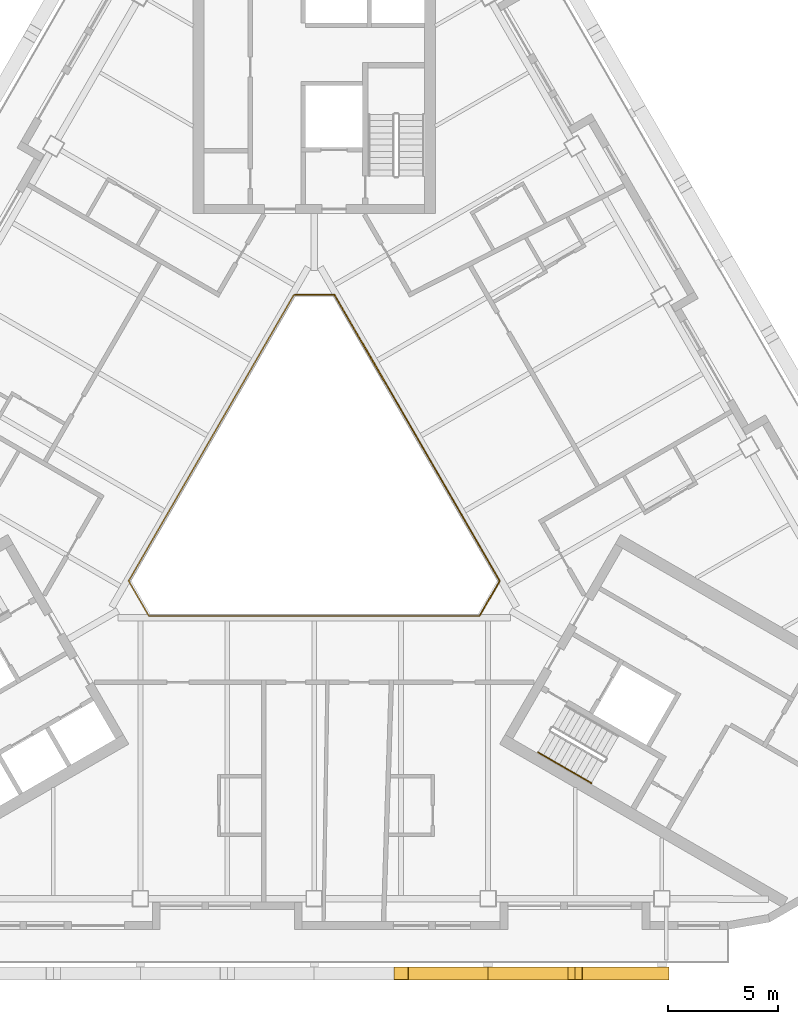
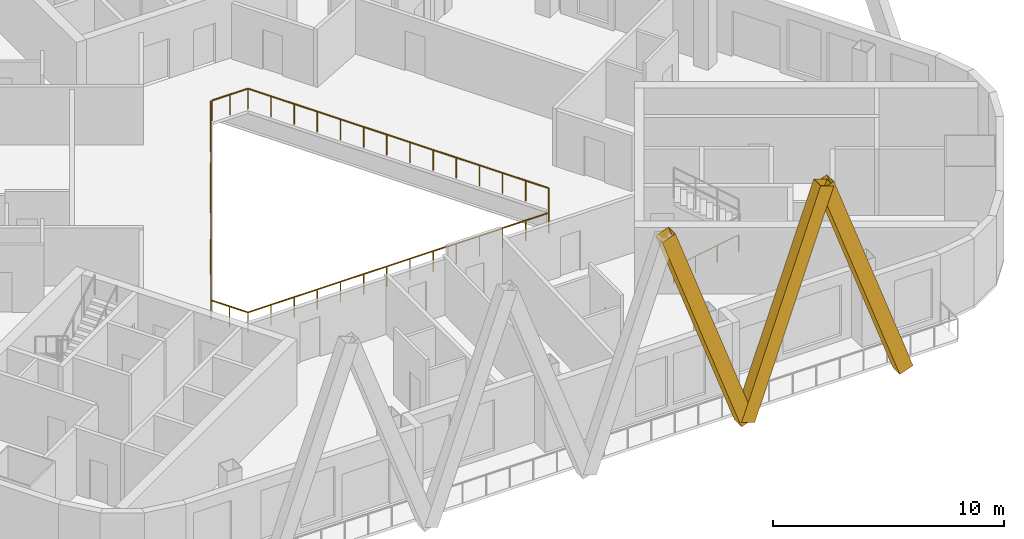
# One storey, part 11 of 14: 3 railings, 3 shading devices.
"""IFC4 building model written with IfcOpenShell, lengths in metres."""

import ifcopenshell
import ifcopenshell.guid

model = None  # the IFC model being written
_history = None  # IfcOwnerHistory: only IFC2X3 demands one
_inside = {}  # id of a spatial element -> (the spatial element, [elements in it])
_under = {}  # id of a project, library or spatial element -> (it, [spatial elements below it])
_declared = {}  # id of a project -> (the project, [libraries it declares])
_typed = {}  # id of a type object -> (the type object, [elements of that type])
_made_of = {}  # id of a material, layer set ... -> (it, [elements and type objects made of it])


def new_model(schema):
    """Start an empty IFC model of exactly this schema.

    Asked for "IFC4X3", IfcOpenShell would pick the latest addendum, in which some entities
    have other attributes; the version numbers below select the first issue.
    IFC2X3 requires an IfcOwnerHistory on every rooted entity: one is made here for all.
    """
    global model, _history
    if schema == "IFC4X3":
        model = ifcopenshell.file(schema_version=(4, 3, 0, 0))
    else:
        model = ifcopenshell.file(schema=schema)
    _inside.clear()
    _under.clear()
    _declared.clear()
    _typed.clear()
    _made_of.clear()
    _history = None
    if model.schema == "IFC2X3":
        org = make("IfcOrganization", Name="unknown")
        user = make(
            "IfcPersonAndOrganization",
            ThePerson=make("IfcPerson", FamilyName="unknown"),
            TheOrganization=org,
        )
        app = make(
            "IfcApplication",
            ApplicationDeveloper=org,
            Version="unknown",
            ApplicationFullName="unknown",
            ApplicationIdentifier="unknown",
        )
        _history = make(
            "IfcOwnerHistory",
            OwningUser=user,
            OwningApplication=app,
            ChangeAction="ADDED",
            CreationDate=0,
        )
    return model


def make(cls, **values):
    """One entity of the class cls with the attributes given. An attribute that is None is left unset."""
    return model.create_entity(
        cls, **{name: value for name, value in values.items() if value is not None}
    )


def rooted(cls, **values):
    """An entity with a GlobalId (a new one), such as an element, a storey or a relation."""
    return make(cls, GlobalId=ifcopenshell.guid.new(), OwnerHistory=_history, **values)


def si_unit(unit_type, name, prefix=None):
    """IfcSIUnit, for example si_unit("LENGTHUNIT", "METRE", prefix="MILLI")."""
    return make("IfcSIUnit", UnitType=unit_type, Prefix=prefix, Name=name)


def assignment(units):
    """IfcUnitAssignment: the units of a project."""
    return None if units is None else make("IfcUnitAssignment", Units=units)


def point(xyz):
    """IfcCartesianPoint."""
    return None if xyz is None else make("IfcCartesianPoint", Coordinates=xyz)


def direction(xyz):
    """IfcDirection."""
    return None if xyz is None else make("IfcDirection", DirectionRatios=xyz)


def frame(location, z_axis=None, x_axis=None):
    """IfcAxis2Placement3D, a coordinate frame: its origin and axes. An axis left out is left unset."""
    return make(
        "IfcAxis2Placement3D",
        Location=point(location),
        Axis=direction(z_axis),
        RefDirection=direction(x_axis),
    )


def frame_2d(location, x_axis=None):
    """IfcAxis2Placement2D, a coordinate frame in the plane: its origin and x axis."""
    return make(
        "IfcAxis2Placement2D", Location=point(location), RefDirection=direction(x_axis)
    )


def origin():
    """The frame at (0, 0, 0) with its axes left unset."""
    return frame((0.0, 0.0, 0.0))


def origin_2d():
    """The frame at (0, 0) in the plane with its x axis left unset."""
    return frame_2d((0.0, 0.0))


def place(relative_to, where):
    """IfcLocalPlacement: puts the frame where relative to a parent placement (None: the world)."""
    return make(
        "IfcLocalPlacement", PlacementRelTo=relative_to, RelativePlacement=where
    )


def context(
    kind, dimensions, precision=None, world=None, true_north=None, identifier=None
):
    """IfcGeometricRepresentationContext, for example the 3D "Model" context."""
    return make(
        "IfcGeometricRepresentationContext",
        ContextIdentifier=identifier,
        ContextType=kind,
        CoordinateSpaceDimension=dimensions,
        Precision=precision,
        WorldCoordinateSystem=world,
        TrueNorth=true_north,
    )


def subcontext(parent, identifier, kind, view, scale=None):
    """IfcGeometricRepresentationSubContext, for example "Body" below "Model"."""
    return make(
        "IfcGeometricRepresentationSubContext",
        ContextIdentifier=identifier,
        ContextType=kind,
        ParentContext=parent,
        TargetScale=scale,
        TargetView=view,
    )


def project(units=None, contexts=None):
    """IfcProject with its units and contexts."""
    return rooted(
        "IfcProject",
        Name="project",
        RepresentationContexts=contexts,
        UnitsInContext=assignment(units),
    )


def spatial(cls, under=None, at=None, **own):
    """A site, building, storey or space (cls), placed at a placement, below another one or the project."""
    s = rooted(cls, ObjectPlacement=at, **own)
    if under is not None:
        _under.setdefault(under.id(), (under, []))[1].append(s)
    return s


def profile(cls, at=None, kind="AREA", **sizes):
    """A parametric profile (cls). Its sizes go by their IFC names, for example OverallWidth=200.0."""
    return make(cls, ProfileType=kind, Position=at, **sizes)


def rectangle(**sizes):
    """IfcRectangleProfileDef."""
    return profile("IfcRectangleProfileDef", **sizes)


def hollow_rectangle(**sizes):
    """IfcRectangleHollowProfileDef."""
    return profile("IfcRectangleHollowProfileDef", **sizes)


def circle(**sizes):
    """IfcCircleProfileDef."""
    return profile("IfcCircleProfileDef", **sizes)


def extrude(swept, where, along, depth):
    """IfcExtrudedAreaSolid: the profile swept, set in the frame where, extruded along a direction by depth."""
    return make(
        "IfcExtrudedAreaSolid",
        SweptArea=swept,
        Position=where,
        ExtrudedDirection=direction(along),
        Depth=depth,
    )


def shape(context_of_items, identifier, shape_type, items):
    """IfcShapeRepresentation: the items that make up one representation, for example the "Body"."""
    return make(
        "IfcShapeRepresentation",
        ContextOfItems=context_of_items,
        RepresentationIdentifier=identifier,
        RepresentationType=shape_type,
        Items=items,
    )


def material(Name=None, Category=None):
    """IfcMaterial."""
    return make("IfcMaterial", Name=Name, Category=Category)


def material_profile(
    of_material, cross_section, Name=None, Category=None, Priority=None
):
    """IfcMaterialProfile: a cross section and its material."""
    return make(
        "IfcMaterialProfile",
        Name=Name,
        Material=of_material,
        Profile=cross_section,
        Priority=Priority,
        Category=Category,
    )


def profile_set(profiles, Name=None, composite=None):
    """IfcMaterialProfileSet."""
    return make(
        "IfcMaterialProfileSet",
        Name=Name,
        MaterialProfiles=profiles,
        CompositeProfile=composite,
    )


def made_of(thing, what):
    """Note that an element or type object is made of a material, layer set ...; save() writes the relation."""
    if what is not None:
        _made_of.setdefault(what.id(), (what, []))[1].append(thing)
    return thing


def type_object(cls, material=None, **own):
    """A type object (cls), such as IfcWallType, which elements share."""
    return made_of(rooted(cls, **own), material)


def element(
    cls,
    number,
    at=None,
    inside=None,
    cuts=None,
    type_object=None,
    material=None,
    context=None,
    identifier="Body",
    shape_type=None,
    held_by="IfcProductDefinitionShape",
    body=None,
    shapes=None,
    **own,
):
    """One element of the class cls, such as IfcWall. Its Tag is "e" and its number.

    at: its placement. inside: the storey or other place that contains it. cuts: it is an
    opening in that element (IfcRelVoidsElement). A single representation is given by context,
    identifier, shape_type and body (its items); several are given by shapes. held_by: the class
    of the entity that holds the representations. save() writes the other relations.
    """
    e = rooted(cls, Tag="e%d" % number, ObjectPlacement=at, **own)
    if body is not None:
        shapes = [shape(context, identifier, shape_type, body)]
    if shapes is not None:
        e.Representation = make(held_by, Representations=shapes)
    if inside is not None:
        _inside.setdefault(inside.id(), (inside, []))[1].append(e)
    if cuts is not None:
        rooted(
            "IfcRelVoidsElement", RelatingBuildingElement=cuts, RelatedOpeningElement=e
        )
    if type_object is not None:
        _typed.setdefault(type_object.id(), (type_object, []))[1].append(e)
    return made_of(e, material)


def aggregate(whole, parts):
    """IfcRelAggregates: a whole, such as a stair, and the parts it consists of."""
    return rooted("IfcRelAggregates", RelatingObject=whole, RelatedObjects=parts)


def save(model, path):
    """Write the relations noted so far, then the file.

    IfcRelAggregates (storeys below a building ...), IfcRelContainedInSpatialStructure (elements
    in a storey), IfcRelDefinesByType, IfcRelAssociatesMaterial and IfcRelDeclares: one each for
    every whole, place, type object, material and project.
    """
    for whole, parts in _under.values():
        aggregate(whole, parts)
    for where, things in _inside.values():
        rooted(
            "IfcRelContainedInSpatialStructure",
            RelatedElements=things,
            RelatingStructure=where,
        )
    for kind, things in _typed.values():
        rooted("IfcRelDefinesByType", RelatedObjects=things, RelatingType=kind)
    for what, things in _made_of.values():
        rooted("IfcRelAssociatesMaterial", RelatedObjects=things, RelatingMaterial=what)
    for by, libraries in _declared.values():
        rooted("IfcRelDeclares", RelatingContext=by, RelatedDefinitions=libraries)
    model.write(path)


model = new_model("IFC4")

# Units and contexts
model_context = context("Model", 3, precision=1e-05, world=origin(), true_north=direction((0.0, 1.0)))
body_context = subcontext(model_context, "Body", "Model", "MODEL_VIEW")
ifc_project = project(units=[si_unit("LENGTHUNIT", "METRE"), si_unit("AREAUNIT", "SQUARE_METRE"), si_unit("VOLUMEUNIT", "CUBIC_METRE"), si_unit("PLANEANGLEUNIT", "RADIAN"), si_unit("MASSUNIT", "GRAM", prefix="KILO")], contexts=[model_context])

# Site, building, storey
site_placement = place(None, origin())
site = spatial("IfcSite", under=ifc_project, at=site_placement, CompositionType="ELEMENT")
building_placement = place(site_placement, origin())
building = spatial("IfcBuilding", under=site, at=building_placement, Name="Apuvela Tower Hotel", CompositionType="ELEMENT")
storey_placement = place(building_placement, frame((0.0, 0.0, 213.199951171875)))
storey = spatial("IfcBuildingStorey", under=building, at=storey_placement, Name="L52", CompositionType="ELEMENT", Elevation=213.199951171875)

# Railing
ifc_material_1 = material(Name="Stainless steel 316 handrail", Category="steel")
railing_type_1 = type_object("IfcRailingType", Name="COR-HANDRAIL-900", PredefinedType="HANDRAIL", material=ifc_material_1)
railing_1_placement = place(storey_placement, frame((10.1689453125, -11.5869140625, 0.168212890625)))
element("IfcRailing", 1, at=railing_1_placement, inside=storey, type_object=railing_type_1, Name="L52 ST3 stair handrail 1", PredefinedType="HANDRAIL", context=body_context, shape_type="SweptSolid", body=[
    extrude(circle(Radius=0.02392578125, at=origin_2d()), frame((0.0, 0.0, 0.8759765625), z_axis=(0.742390482028, -0.42860119049, 0.514934356695), x_axis=(0.49998411664, 0.866034573852, 0.0)), (0.0, 0.0, 1.0), 3.26611328125),
    extrude(rectangle(XDim=0.0419921875, YDim=0.0419921875, at=origin_2d()), origin(), (0.0, 0.0, 1.0), 0.851806640625),
    extrude(rectangle(XDim=0.0419921875, YDim=0.0419921875, at=origin_2d()), frame((0.808349609375, -0.466552734375, 0.560546875)), (0.0, 0.0, 1.0), 0.851806640625),
    extrude(rectangle(XDim=0.0419921875, YDim=0.0419921875, at=origin_2d()), frame((1.616455078125, -0.933349609375, 1.121337890625)), (0.0, 0.0, 1.0), 0.851806640625),
    extrude(rectangle(XDim=0.0419921875, YDim=0.0419921875, at=origin_2d()), frame((2.4248046875, -1.39990234375, 1.681884765625)), (0.0, 0.0, 1.0), 0.851806640625),
])

# Shading devices
ifc_material_2 = material(Name="Aluminium 6063-T6, black anodised", Category="aluminium")
ifc_material_profile = material_profile(ifc_material_2, hollow_rectangle(XDim=0.60009765625, YDim=0.699951171875, WallThickness=0.011962890625, at=origin_2d()), Name="AL BOX 700x600x12")
ifc_profile_set = profile_set([ifc_material_profile], Name="Aluminium 6063-T6, black anodised")
shading_device_type = type_object("IfcShadingDeviceType", Name="ENV-FIN-700x600", PredefinedType="USERDEFINED", material=ifc_profile_set)
for number, where, z_axis, x_axis, name in (
    (2, (7.89990234375, -21.6298828125, -0.099853515625), (-0.335261072241, 0.0, 0.942125264198), (0.0, -1.0, 0.0), "Lattice fin S454"),
    (3, (7.89990234375, -21.6298828125, -0.099853515625), (0.335279464888, 0.0, 0.942118718859), (0.0, 1.0, 0.0), "Lattice fin S455"),
    (4, (15.800048828125, -21.6298828125, -0.099853515625), (-0.335261072241, 0.0, 0.942125264198), (0.0, -1.0, 0.0), "Lattice fin S456"),
):
    element("IfcShadingDevice", number, at=place(storey_placement, frame(where, z_axis=z_axis, x_axis=x_axis)), inside=storey, type_object=shading_device_type, Name=name, ObjectType="FIN", PredefinedType="USERDEFINED", context=body_context, shape_type="SweptSolid", body=[
        extrude(hollow_rectangle(XDim=0.60009765625, YDim=0.699951171875, WallThickness=0.011962890625, at=origin_2d()), origin(), (0.0, 0.0, 1.0), 11.78173828125),
    ])

# Railings
ifc_material_3 = material(Name="Stainless steel 316 rail with laminated glass infill", Category="steel")
railing_type_2 = type_object("IfcRailingType", Name="ENV-GUARD-1100", PredefinedType="GUARDRAIL", material=ifc_material_3)
railing_2_placement = place(storey_placement, frame((-0.923828125, 9.199951171875, 0.0)))
element("IfcRailing", 5, at=railing_2_placement, inside=storey, type_object=railing_type_2, Name="Atrium void guard A L52", PredefinedType="GUARDRAIL", context=body_context, shape_type="SweptSolid", body=[
    extrude(rectangle(XDim=0.050048828125, YDim=0.050048828125, at=origin_2d()), frame((0.0, 0.0, 1.0751953125), z_axis=(-0.499990886379, -0.866030665472, 0.0), x_axis=(0.866030665472, -0.499990886379, 0.0)), (0.0, 0.0, 1.0), 15.010986328125),
    extrude(rectangle(XDim=0.050048828125, YDim=0.050048828125, at=origin_2d()), frame((-7.50537109375, -13.0, 1.0751953125), z_axis=(0.499962699187, -0.866046938348, 0.0), x_axis=(0.866046938348, 0.499962699187, 0.0)), (0.0, 0.0, 1.0), 1.847412109375),
    extrude(rectangle(XDim=0.050048828125, YDim=0.050048828125, at=origin_2d()), frame((-6.581787109375, -14.599853515625, 1.0751953125), z_axis=(1.0, 0.0, 0.0), x_axis=(0.0, 1.0, 0.0)), (0.0, 0.0, 1.0), 15.01123046875),
    extrude(rectangle(XDim=0.0400390625, YDim=0.0400390625, at=origin_2d()), origin(), (0.0, 0.0, 1.0), 1.050048828125),
    extrude(rectangle(XDim=0.0400390625, YDim=0.0400390625, at=origin_2d()), frame((-0.577392578125, -1.0, 0.0)), (0.0, 0.0, 1.0), 1.050048828125),
    extrude(rectangle(XDim=0.0400390625, YDim=0.0400390625, at=origin_2d()), frame((-1.15478515625, -2.0, 0.0)), (0.0, 0.0, 1.0), 1.050048828125),
    extrude(rectangle(XDim=0.0400390625, YDim=0.0400390625, at=origin_2d()), frame((-1.73193359375, -3.0, 0.0)), (0.0, 0.0, 1.0), 1.050048828125),
    extrude(rectangle(XDim=0.0400390625, YDim=0.0400390625, at=origin_2d()), frame((-2.309326171875, -4.0, 0.0)), (0.0, 0.0, 1.0), 1.050048828125),
    extrude(rectangle(XDim=0.0400390625, YDim=0.0400390625, at=origin_2d()), frame((-2.88671875, -5.0, 0.0)), (0.0, 0.0, 1.0), 1.050048828125),
    extrude(rectangle(XDim=0.0400390625, YDim=0.0400390625, at=origin_2d()), frame((-3.464111328125, -6.0, 0.0)), (0.0, 0.0, 1.0), 1.050048828125),
    extrude(rectangle(XDim=0.0400390625, YDim=0.0400390625, at=origin_2d()), frame((-4.041259765625, -7.0, 0.0)), (0.0, 0.0, 1.0), 1.050048828125),
    extrude(rectangle(XDim=0.0400390625, YDim=0.0400390625, at=origin_2d()), frame((-4.61865234375, -8.0, 0.0)), (0.0, 0.0, 1.0), 1.050048828125),
    extrude(rectangle(XDim=0.0400390625, YDim=0.0400390625, at=origin_2d()), frame((-5.196044921875, -9.0, 0.0)), (0.0, 0.0, 1.0), 1.050048828125),
    extrude(rectangle(XDim=0.0400390625, YDim=0.0400390625, at=origin_2d()), frame((-5.7734375, -10.0, 0.0)), (0.0, 0.0, 1.0), 1.050048828125),
    extrude(rectangle(XDim=0.0400390625, YDim=0.0400390625, at=origin_2d()), frame((-6.3505859375, -11.0, 0.0)), (0.0, 0.0, 1.0), 1.050048828125),
    extrude(rectangle(XDim=0.0400390625, YDim=0.0400390625, at=origin_2d()), frame((-6.927978515625, -12.0, 0.0)), (0.0, 0.0, 1.0), 1.050048828125),
    extrude(rectangle(XDim=0.0400390625, YDim=0.0400390625, at=origin_2d()), frame((-7.50537109375, -13.0, 0.0)), (0.0, 0.0, 1.0), 1.050048828125),
    extrude(rectangle(XDim=0.0400390625, YDim=0.0400390625, at=origin_2d()), frame((-7.04345703125, -13.7998046875, 0.0)), (0.0, 0.0, 1.0), 1.050048828125),
    extrude(rectangle(XDim=0.0400390625, YDim=0.0400390625, at=origin_2d()), frame((-6.581787109375, -14.599853515625, 0.0)), (0.0, 0.0, 1.0), 1.050048828125),
    extrude(rectangle(XDim=0.0400390625, YDim=0.0400390625, at=origin_2d()), frame((-5.427001953125, -14.599853515625, 0.0)), (0.0, 0.0, 1.0), 1.050048828125),
    extrude(rectangle(XDim=0.0400390625, YDim=0.0400390625, at=origin_2d()), frame((-4.2724609375, -14.599853515625, 0.0)), (0.0, 0.0, 1.0), 1.050048828125),
    extrude(rectangle(XDim=0.0400390625, YDim=0.0400390625, at=origin_2d()), frame((-3.11767578125, -14.599853515625, 0.0)), (0.0, 0.0, 1.0), 1.050048828125),
    extrude(rectangle(XDim=0.0400390625, YDim=0.0400390625, at=origin_2d()), frame((-1.962890625, -14.599853515625, 0.0)), (0.0, 0.0, 1.0), 1.050048828125),
    extrude(rectangle(XDim=0.0400390625, YDim=0.0400390625, at=origin_2d()), frame((-0.808349609375, -14.599853515625, 0.0)), (0.0, 0.0, 1.0), 1.050048828125),
    extrude(rectangle(XDim=0.0400390625, YDim=0.0400390625, at=origin_2d()), frame((0.346435546875, -14.599853515625, 0.0)), (0.0, 0.0, 1.0), 1.050048828125),
    extrude(rectangle(XDim=0.0400390625, YDim=0.0400390625, at=origin_2d()), frame((1.501220703125, -14.599853515625, 0.0)), (0.0, 0.0, 1.0), 1.050048828125),
    extrude(rectangle(XDim=0.0400390625, YDim=0.0400390625, at=origin_2d()), frame((2.656005859375, -14.599853515625, 0.0)), (0.0, 0.0, 1.0), 1.050048828125),
    extrude(rectangle(XDim=0.0400390625, YDim=0.0400390625, at=origin_2d()), frame((3.810546875, -14.599853515625, 0.0)), (0.0, 0.0, 1.0), 1.050048828125),
    extrude(rectangle(XDim=0.0400390625, YDim=0.0400390625, at=origin_2d()), frame((4.96533203125, -14.599853515625, 0.0)), (0.0, 0.0, 1.0), 1.050048828125),
    extrude(rectangle(XDim=0.0400390625, YDim=0.0400390625, at=origin_2d()), frame((6.1201171875, -14.599853515625, 0.0)), (0.0, 0.0, 1.0), 1.050048828125),
    extrude(rectangle(XDim=0.0400390625, YDim=0.0400390625, at=origin_2d()), frame((7.274658203125, -14.599853515625, 0.0)), (0.0, 0.0, 1.0), 1.050048828125),
    extrude(rectangle(XDim=0.0400390625, YDim=0.0400390625, at=origin_2d()), frame((8.429443359375, -14.599853515625, 0.0)), (0.0, 0.0, 1.0), 1.050048828125),
])
railing_3_placement = place(storey_placement, frame((7.53564453125, -5.347900390625, 0.0)))
element("IfcRailing", 6, at=railing_3_placement, inside=storey, type_object=railing_type_2, Name="Atrium void guard B L52", PredefinedType="GUARDRAIL", context=body_context, shape_type="SweptSolid", body=[
    extrude(rectangle(XDim=0.050048828125, YDim=0.050048828125, at=origin_2d()), frame((0.0, 0.0, 1.0751953125), z_axis=(0.499958946799, 0.866049104564, 0.0), x_axis=(-0.866049104564, 0.499958946799, 0.0)), (0.0, 0.0, 1.0), 1.787353515625),
    extrude(rectangle(XDim=0.050048828125, YDim=0.050048828125, at=origin_2d()), frame((0.8935546875, 1.5478515625, 1.0751953125), z_axis=(-0.499990886379, 0.866030665472, 0.0), x_axis=(-0.866030665472, -0.499990886379, 0.0)), (0.0, 0.0, 1.0), 15.010986328125),
    extrude(rectangle(XDim=0.050048828125, YDim=0.050048828125, at=origin_2d()), frame((-6.61181640625, 14.5478515625, 1.0751953125), z_axis=(-1.0, 0.0, 0.0), x_axis=(0.0, -1.0, 0.0)), (0.0, 0.0, 1.0), 1.78759765625),
    extrude(rectangle(XDim=0.0400390625, YDim=0.0400390625, at=origin_2d()), origin(), (0.0, 0.0, 1.0), 1.050048828125),
    extrude(rectangle(XDim=0.0400390625, YDim=0.0400390625, at=origin_2d()), frame((0.44677734375, 0.77392578125, 0.0)), (0.0, 0.0, 1.0), 1.050048828125),
    extrude(rectangle(XDim=0.0400390625, YDim=0.0400390625, at=origin_2d()), frame((0.8935546875, 1.5478515625, 0.0)), (0.0, 0.0, 1.0), 1.050048828125),
    extrude(rectangle(XDim=0.0400390625, YDim=0.0400390625, at=origin_2d()), frame((0.316162109375, 2.5478515625, 0.0)), (0.0, 0.0, 1.0), 1.050048828125),
    extrude(rectangle(XDim=0.0400390625, YDim=0.0400390625, at=origin_2d()), frame((-0.26123046875, 3.5478515625, 0.0)), (0.0, 0.0, 1.0), 1.050048828125),
    extrude(rectangle(XDim=0.0400390625, YDim=0.0400390625, at=origin_2d()), frame((-0.83837890625, 4.5478515625, 0.0)), (0.0, 0.0, 1.0), 1.050048828125),
    extrude(rectangle(XDim=0.0400390625, YDim=0.0400390625, at=origin_2d()), frame((-1.415771484375, 5.5478515625, 0.0)), (0.0, 0.0, 1.0), 1.050048828125),
    extrude(rectangle(XDim=0.0400390625, YDim=0.0400390625, at=origin_2d()), frame((-1.9931640625, 6.5478515625, 0.0)), (0.0, 0.0, 1.0), 1.050048828125),
    extrude(rectangle(XDim=0.0400390625, YDim=0.0400390625, at=origin_2d()), frame((-2.570556640625, 7.5478515625, 0.0)), (0.0, 0.0, 1.0), 1.050048828125),
    extrude(rectangle(XDim=0.0400390625, YDim=0.0400390625, at=origin_2d()), frame((-3.147705078125, 8.5478515625, 0.0)), (0.0, 0.0, 1.0), 1.050048828125),
    extrude(rectangle(XDim=0.0400390625, YDim=0.0400390625, at=origin_2d()), frame((-3.72509765625, 9.5478515625, 0.0)), (0.0, 0.0, 1.0), 1.050048828125),
    extrude(rectangle(XDim=0.0400390625, YDim=0.0400390625, at=origin_2d()), frame((-4.302490234375, 10.5478515625, 0.0)), (0.0, 0.0, 1.0), 1.050048828125),
    extrude(rectangle(XDim=0.0400390625, YDim=0.0400390625, at=origin_2d()), frame((-4.8798828125, 11.5478515625, 0.0)), (0.0, 0.0, 1.0), 1.050048828125),
    extrude(rectangle(XDim=0.0400390625, YDim=0.0400390625, at=origin_2d()), frame((-5.45703125, 12.5478515625, 0.0)), (0.0, 0.0, 1.0), 1.050048828125),
    extrude(rectangle(XDim=0.0400390625, YDim=0.0400390625, at=origin_2d()), frame((-6.034423828125, 13.5478515625, 0.0)), (0.0, 0.0, 1.0), 1.050048828125),
    extrude(rectangle(XDim=0.0400390625, YDim=0.0400390625, at=origin_2d()), frame((-6.61181640625, 14.5478515625, 0.0)), (0.0, 0.0, 1.0), 1.050048828125),
    extrude(rectangle(XDim=0.0400390625, YDim=0.0400390625, at=origin_2d()), frame((-7.505615234375, 14.5478515625, 0.0)), (0.0, 0.0, 1.0), 1.050048828125),
    extrude(rectangle(XDim=0.0400390625, YDim=0.0400390625, at=origin_2d()), frame((-8.3994140625, 14.5478515625, 0.0)), (0.0, 0.0, 1.0), 1.050048828125),
])

save(model, "model.ifc")
